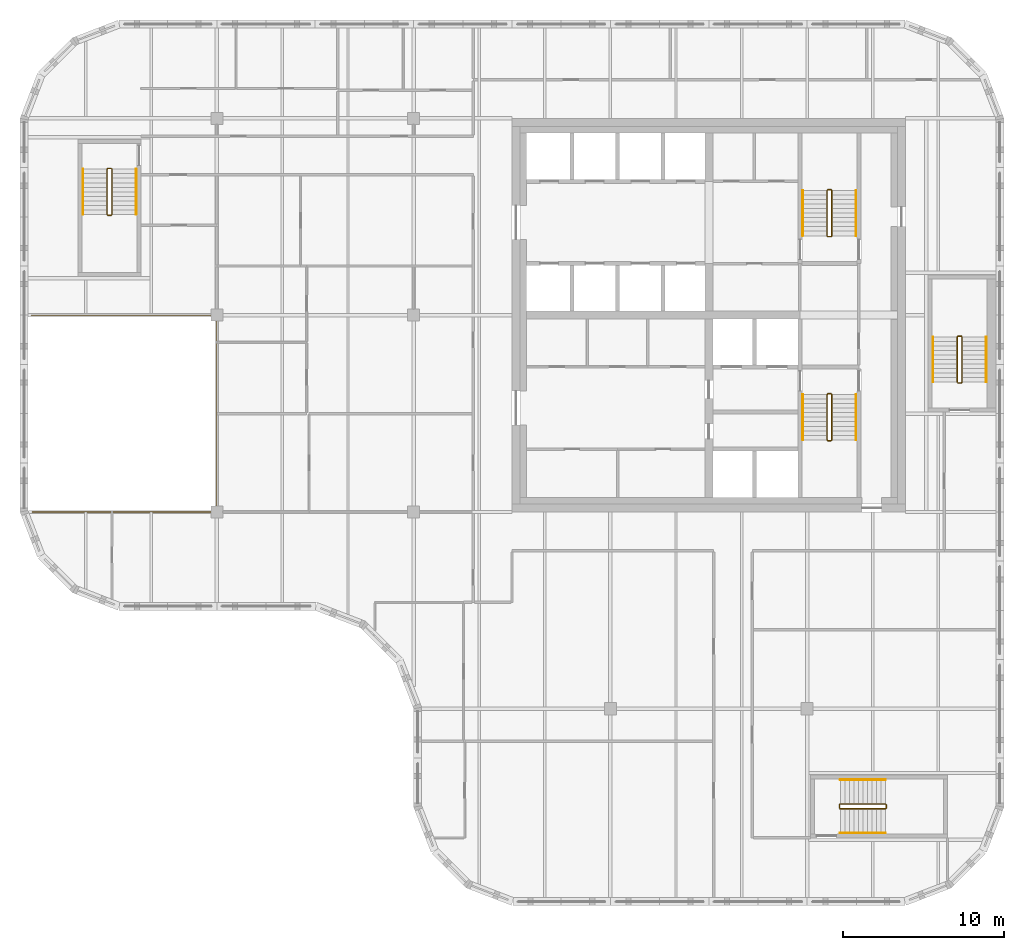
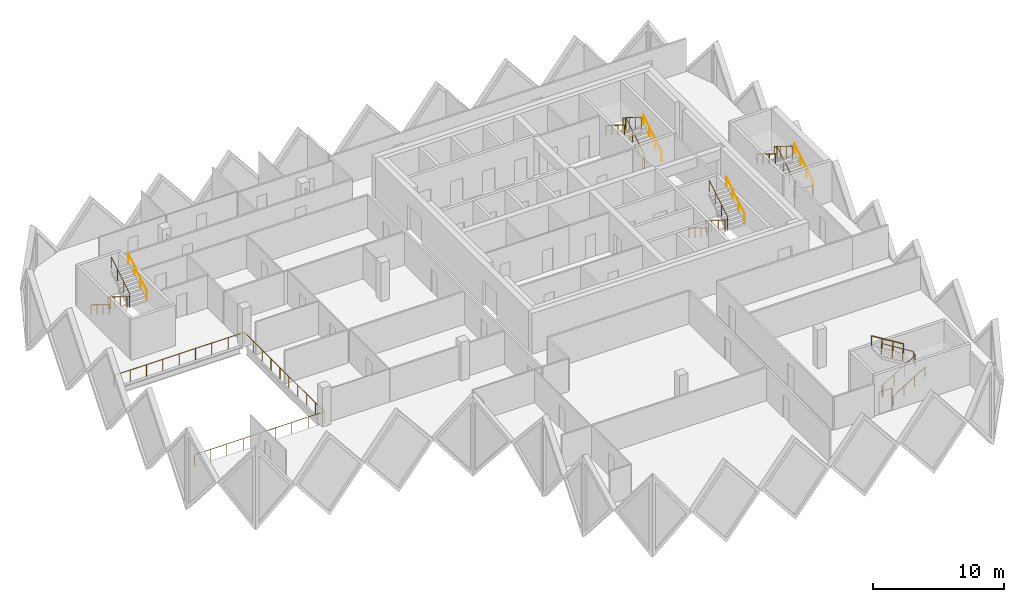
# One storey, part 11 of 11: 16 railings.
"""IFC4 building model written with IfcOpenShell, lengths in metres."""

from ifc_helpers import new_model, si_unit, direction, frame, origin, origin_2d, place, context, subcontext, project, spatial, circle, extrude, material, type_object, element, save


model = new_model("IFC4")

# Units and contexts
model_context = context("Model", 3, precision=1e-05, world=origin(), true_north=direction((0.0, 1.0)))
body_context = subcontext(model_context, "Body", "Model", "MODEL_VIEW")
ifc_project = project(units=[si_unit("LENGTHUNIT", "METRE"), si_unit("AREAUNIT", "SQUARE_METRE"), si_unit("VOLUMEUNIT", "CUBIC_METRE"), si_unit("PLANEANGLEUNIT", "RADIAN"), si_unit("MASSUNIT", "GRAM", prefix="KILO")], contexts=[model_context])

# Site, building, storey
site_placement = place(None, origin())
site = spatial("IfcSite", under=ifc_project, at=site_placement, CompositionType="ELEMENT")
building_placement = place(site_placement, origin())
building = spatial("IfcBuilding", under=site, at=building_placement, Name="Tessera Gate Towers", CompositionType="ELEMENT")
storey_placement = place(building_placement, frame((0.0, 0.0, 224.5)))
storey = spatial("IfcBuildingStorey", under=building, at=storey_placement, Name="L56", CompositionType="ELEMENT", Elevation=224.5)

# Railings
ifc_material_1 = material(Name="Toughened glass with stainless steel handrail", Category="steel")
railing_type_1 = type_object("IfcRailingType", Name="GUARD 1100 GLASS BALUSTRADE", PredefinedType="GUARDRAIL", material=ifc_material_1)
railing_1_placement = place(storey_placement, frame((0.750244140625, 24.39990234375, 0.0)))
element("IfcRailing", 1, at=railing_1_placement, inside=storey, type_object=railing_type_1, Name="Guard", PredefinedType="GUARDRAIL", context=body_context, shape_type="SweptSolid", body=[
    extrude(circle(Radius=0.02490234375, at=origin_2d()), frame((0.0, 0.0, 1.0751953125), z_axis=(1.0, 0.0, 0.0), x_axis=(0.0, 1.0, 0.0)), (0.0, 0.0, 1.0), 11.44970703125),
    extrude(circle(Radius=0.02490234375, at=origin_2d()), frame((11.44970703125, 0.0, 1.0751953125), z_axis=(0.0, 1.0, 0.0), x_axis=(-1.0, 0.0, 0.0)), (0.0, 0.0, 1.0), 12.2001953125),
    extrude(circle(Radius=0.02490234375, at=origin_2d()), frame((11.44970703125, 12.2001953125, 1.0751953125), z_axis=(-1.0, 0.0, 0.0), x_axis=(0.0, -1.0, 0.0)), (0.0, 0.0, 1.0), 11.5),
    extrude(circle(Radius=0.02490234375, at=origin_2d()), origin(), (0.0, 0.0, 1.0), 1.050048828125),
    extrude(circle(Radius=0.02490234375, at=origin_2d()), frame((1.43115234375, 0.0, 0.0)), (0.0, 0.0, 1.0), 1.050048828125),
    extrude(circle(Radius=0.02490234375, at=origin_2d()), frame((2.8623046875, 0.0, 0.0)), (0.0, 0.0, 1.0), 1.050048828125),
    extrude(circle(Radius=0.02490234375, at=origin_2d()), frame((4.293701171875, 0.0, 0.0)), (0.0, 0.0, 1.0), 1.050048828125),
    extrude(circle(Radius=0.02490234375, at=origin_2d()), frame((5.724853515625, 0.0, 0.0)), (0.0, 0.0, 1.0), 1.050048828125),
    extrude(circle(Radius=0.02490234375, at=origin_2d()), frame((7.156005859375, 0.0, 0.0)), (0.0, 0.0, 1.0), 1.050048828125),
    extrude(circle(Radius=0.02490234375, at=origin_2d()), frame((8.58740234375, 0.0, 0.0)), (0.0, 0.0, 1.0), 1.050048828125),
    extrude(circle(Radius=0.02490234375, at=origin_2d()), frame((10.0185546875, 0.0, 0.0)), (0.0, 0.0, 1.0), 1.050048828125),
    extrude(circle(Radius=0.02490234375, at=origin_2d()), frame((11.44970703125, 0.0, 0.0)), (0.0, 0.0, 1.0), 1.050048828125),
    extrude(circle(Radius=0.02490234375, at=origin_2d()), frame((11.44970703125, 1.35546875, 0.0)), (0.0, 0.0, 1.0), 1.050048828125),
    extrude(circle(Radius=0.02490234375, at=origin_2d()), frame((11.44970703125, 2.711181640625, 0.0)), (0.0, 0.0, 1.0), 1.050048828125),
    extrude(circle(Radius=0.02490234375, at=origin_2d()), frame((11.44970703125, 4.066650390625, 0.0)), (0.0, 0.0, 1.0), 1.050048828125),
    extrude(circle(Radius=0.02490234375, at=origin_2d()), frame((11.44970703125, 5.42236328125, 0.0)), (0.0, 0.0, 1.0), 1.050048828125),
    extrude(circle(Radius=0.02490234375, at=origin_2d()), frame((11.44970703125, 6.77783203125, 0.0)), (0.0, 0.0, 1.0), 1.050048828125),
    extrude(circle(Radius=0.02490234375, at=origin_2d()), frame((11.44970703125, 8.133544921875, 0.0)), (0.0, 0.0, 1.0), 1.050048828125),
    extrude(circle(Radius=0.02490234375, at=origin_2d()), frame((11.44970703125, 9.489013671875, 0.0)), (0.0, 0.0, 1.0), 1.050048828125),
    extrude(circle(Radius=0.02490234375, at=origin_2d()), frame((11.44970703125, 10.8447265625, 0.0)), (0.0, 0.0, 1.0), 1.050048828125),
    extrude(circle(Radius=0.02490234375, at=origin_2d()), frame((11.44970703125, 12.2001953125, 0.0)), (0.0, 0.0, 1.0), 1.050048828125),
    extrude(circle(Radius=0.02490234375, at=origin_2d()), frame((10.01220703125, 12.2001953125, 0.0)), (0.0, 0.0, 1.0), 1.050048828125),
    extrude(circle(Radius=0.02490234375, at=origin_2d()), frame((8.57470703125, 12.2001953125, 0.0)), (0.0, 0.0, 1.0), 1.050048828125),
    extrude(circle(Radius=0.02490234375, at=origin_2d()), frame((7.13720703125, 12.2001953125, 0.0)), (0.0, 0.0, 1.0), 1.050048828125),
    extrude(circle(Radius=0.02490234375, at=origin_2d()), frame((5.69970703125, 12.2001953125, 0.0)), (0.0, 0.0, 1.0), 1.050048828125),
    extrude(circle(Radius=0.02490234375, at=origin_2d()), frame((4.26220703125, 12.2001953125, 0.0)), (0.0, 0.0, 1.0), 1.050048828125),
    extrude(circle(Radius=0.02490234375, at=origin_2d()), frame((2.82470703125, 12.2001953125, 0.0)), (0.0, 0.0, 1.0), 1.050048828125),
    extrude(circle(Radius=0.02490234375, at=origin_2d()), frame((1.38720703125, 12.2001953125, 0.0)), (0.0, 0.0, 1.0), 1.050048828125),
    extrude(circle(Radius=0.02490234375, at=origin_2d()), frame((-0.05029296875, 12.2001953125, 0.0)), (0.0, 0.0, 1.0), 1.050048828125),
])
ifc_material_2 = material(Name="Steel 350W", Category="steel")
railing_type_2 = type_object("IfcRailingType", Name="STAIR GUARD 1100", PredefinedType="GUARDRAIL", material=ifc_material_2)
railing_2_placement = place(storey_placement, frame((50.27490234375, 31.72509765625, 0.0)))
element("IfcRailing", 2, at=railing_2_placement, inside=storey, type_object=railing_type_2, Name="L56 ST1 stair guard 1", PredefinedType="GUARDRAIL", context=body_context, shape_type="SweptSolid", body=[
    extrude(circle(Radius=0.02392578125, at=origin_2d()), frame((0.0, 0.0, 1.076171875), z_axis=(-1.0, 0.0, 0.0), x_axis=(0.0, -1.0, 0.0)), (0.0, 0.0, 1.0), 0.199951171875),
    extrude(circle(Radius=0.02392578125, at=origin_2d()), frame((-0.199951171875, 0.0, 1.076171875), z_axis=(-0.268277960024, -0.268277960024, 0.925231793839), x_axis=(0.707106781187, -0.707106781187, 0.0)), (0.0, 0.0, 1.0), 0.1865234375),
    extrude(circle(Radius=0.02392578125, at=origin_2d()), frame((-0.25, -0.050048828125, 1.24853515625), z_axis=(0.0, -0.851089632645, 0.525020415988), x_axis=(1.0, 0.0, 0.0)), (0.0, 0.0, 1.0), 3.2900390625),
    extrude(circle(Radius=0.02392578125, at=origin_2d()), frame((-0.25, -2.85009765625, 2.97607421875), z_axis=(0.707106781187, -0.707106781187, 0.0), x_axis=(0.707106781187, 0.707106781187, 0.0)), (0.0, 0.0, 1.0), 0.07080078125),
    extrude(circle(Radius=0.02392578125, at=origin_2d()), frame((-0.199951171875, -2.900146484375, 2.97607421875), z_axis=(1.0, 0.0, 0.0), x_axis=(0.0, 1.0, 0.0)), (0.0, 0.0, 1.0), 0.199951171875),
    extrude(circle(Radius=0.02392578125, at=origin_2d()), frame((0.0, -2.900146484375, 2.97607421875), z_axis=(0.267953482034, 0.267953482034, 0.925419830635), x_axis=(-0.707106781187, 0.707106781187, 0.0)), (0.0, 0.0, 1.0), 0.186767578125),
    extrude(circle(Radius=0.02392578125, at=origin_2d()), frame((0.050048828125, -2.85009765625, 3.14892578125), z_axis=(0.0, 0.851089632645, 0.525020415988), x_axis=(-1.0, 0.0, 0.0)), (0.0, 0.0, 1.0), 3.2900390625),
    extrude(circle(Radius=0.02099609375, at=origin_2d()), origin(), (0.0, 0.0, 1.0), 1.052001953125),
    extrude(circle(Radius=0.02099609375, at=origin_2d()), frame((-0.199951171875, 0.0, 0.0)), (0.0, 0.0, 1.0), 1.052001953125),
    extrude(circle(Radius=0.02099609375, at=origin_2d()), frame((-0.25, -0.050048828125, 0.172607421875)), (0.0, 0.0, 1.0), 1.052001953125),
    extrude(circle(Radius=0.02099609375, at=origin_2d()), frame((-0.25, -0.9833984375, 0.748291015625)), (0.0, 0.0, 1.0), 1.052001953125),
    extrude(circle(Radius=0.02099609375, at=origin_2d()), frame((-0.25, -1.916748046875, 1.32421875)), (0.0, 0.0, 1.0), 1.052001953125),
    extrude(circle(Radius=0.02099609375, at=origin_2d()), frame((-0.25, -2.85009765625, 1.89990234375)), (0.0, 0.0, 1.0), 1.052001953125),
    extrude(circle(Radius=0.02099609375, at=origin_2d()), frame((-0.199951171875, -2.900146484375, 1.89990234375)), (0.0, 0.0, 1.0), 1.052001953125),
    extrude(circle(Radius=0.02099609375, at=origin_2d()), frame((0.0, -2.900146484375, 1.89990234375)), (0.0, 0.0, 1.0), 1.052001953125),
    extrude(circle(Radius=0.02099609375, at=origin_2d()), frame((0.050048828125, -2.85009765625, 2.07275390625)), (0.0, 0.0, 1.0), 1.052001953125),
    extrude(circle(Radius=0.02099609375, at=origin_2d()), frame((0.050048828125, -1.916748046875, 2.6484375)), (0.0, 0.0, 1.0), 1.052001953125),
    extrude(circle(Radius=0.02099609375, at=origin_2d()), frame((0.050048828125, -0.9833984375, 3.224365234375)), (0.0, 0.0, 1.0), 1.052001953125),
    extrude(circle(Radius=0.02099609375, at=origin_2d()), frame((0.050048828125, -0.050048828125, 3.800048828125)), (0.0, 0.0, 1.0), 1.052001953125),
])
railing_3_placement = place(storey_placement, frame((50.074951171875, 41.47509765625, 0.0)))
element("IfcRailing", 3, at=railing_3_placement, inside=storey, type_object=railing_type_2, Name="L56 ST2 stair guard 1", PredefinedType="GUARDRAIL", context=body_context, shape_type="SweptSolid", body=[
    extrude(circle(Radius=0.02392578125, at=origin_2d()), frame((0.0, 0.0, 1.076171875), z_axis=(1.0, 0.0, 0.0), x_axis=(0.0, 1.0, 0.0)), (0.0, 0.0, 1.0), 0.199951171875),
    extrude(circle(Radius=0.02392578125, at=origin_2d()), frame((0.199951171875, 0.0, 1.076171875), z_axis=(0.268371968888, 0.267062837333, 0.925556009775), x_axis=(-0.705375805398, 0.708833529934, 0.0)), (0.0, 0.0, 1.0), 0.1865234375),
    extrude(circle(Radius=0.02392578125, at=origin_2d()), frame((0.25, 0.0498046875, 1.24853515625), z_axis=(0.0, 0.851089632645, 0.525020415988), x_axis=(-1.0, 0.0, 0.0)), (0.0, 0.0, 1.0), 3.2900390625),
    extrude(circle(Radius=0.02392578125, at=origin_2d()), frame((0.25, 2.849853515625, 2.97607421875), z_axis=(-0.707106781187, 0.707106781187, 0.0), x_axis=(-0.707106781187, -0.707106781187, 0.0)), (0.0, 0.0, 1.0), 0.07080078125),
    extrude(circle(Radius=0.02392578125, at=origin_2d()), frame((0.199951171875, 2.89990234375, 2.97607421875), z_axis=(-1.0, 0.0, 0.0), x_axis=(0.0, -1.0, 0.0)), (0.0, 0.0, 1.0), 0.199951171875),
    extrude(circle(Radius=0.02392578125, at=origin_2d()), frame((0.0, 2.89990234375, 2.97607421875), z_axis=(-0.267953482034, -0.267953482034, 0.925419830635), x_axis=(0.707106781187, -0.707106781187, 0.0)), (0.0, 0.0, 1.0), 0.186767578125),
    extrude(circle(Radius=0.02392578125, at=origin_2d()), frame((-0.050048828125, 2.849853515625, 3.14892578125), z_axis=(0.0, -0.851089632645, 0.525020415988), x_axis=(1.0, 0.0, 0.0)), (0.0, 0.0, 1.0), 3.2900390625),
    extrude(circle(Radius=0.02099609375, at=origin_2d()), origin(), (0.0, 0.0, 1.0), 1.052001953125),
    extrude(circle(Radius=0.02099609375, at=origin_2d()), frame((0.199951171875, 0.0, 0.0)), (0.0, 0.0, 1.0), 1.052001953125),
    extrude(circle(Radius=0.02099609375, at=origin_2d()), frame((0.25, 0.0498046875, 0.172607421875)), (0.0, 0.0, 1.0), 1.052001953125),
    extrude(circle(Radius=0.02099609375, at=origin_2d()), frame((0.25, 0.983154296875, 0.748291015625)), (0.0, 0.0, 1.0), 1.052001953125),
    extrude(circle(Radius=0.02099609375, at=origin_2d()), frame((0.25, 1.91650390625, 1.32421875)), (0.0, 0.0, 1.0), 1.052001953125),
    extrude(circle(Radius=0.02099609375, at=origin_2d()), frame((0.25, 2.849853515625, 1.89990234375)), (0.0, 0.0, 1.0), 1.052001953125),
    extrude(circle(Radius=0.02099609375, at=origin_2d()), frame((0.199951171875, 2.89990234375, 1.89990234375)), (0.0, 0.0, 1.0), 1.052001953125),
    extrude(circle(Radius=0.02099609375, at=origin_2d()), frame((0.0, 2.89990234375, 1.89990234375)), (0.0, 0.0, 1.0), 1.052001953125),
    extrude(circle(Radius=0.02099609375, at=origin_2d()), frame((-0.050048828125, 2.849853515625, 2.07275390625)), (0.0, 0.0, 1.0), 1.052001953125),
    extrude(circle(Radius=0.02099609375, at=origin_2d()), frame((-0.050048828125, 1.91650390625, 2.6484375)), (0.0, 0.0, 1.0), 1.052001953125),
    extrude(circle(Radius=0.02099609375, at=origin_2d()), frame((-0.050048828125, 0.983154296875, 3.224365234375)), (0.0, 0.0, 1.0), 1.052001953125),
    extrude(circle(Radius=0.02099609375, at=origin_2d()), frame((-0.050048828125, 0.0498046875, 3.800048828125)), (0.0, 0.0, 1.0), 1.052001953125),
])
railing_4_placement = place(storey_placement, frame((5.64990234375, 45.699951171875, 0.0)))
element("IfcRailing", 4, at=railing_4_placement, inside=storey, type_object=railing_type_2, Name="L56 ST3 stair guard 1", PredefinedType="GUARDRAIL", context=body_context, shape_type="SweptSolid", body=[
    extrude(circle(Radius=0.02392578125, at=origin_2d()), frame((0.0, 0.0, 1.076171875), z_axis=(-1.0, 0.0, 0.0), x_axis=(0.0, -1.0, 0.0)), (0.0, 0.0, 1.0), 0.199951171875),
    extrude(circle(Radius=0.02392578125, at=origin_2d()), frame((-0.199951171875, 0.0, 1.076171875), z_axis=(-0.268277960024, -0.268277960024, 0.925231793839), x_axis=(0.707106781187, -0.707106781187, 0.0)), (0.0, 0.0, 1.0), 0.1865234375),
    extrude(circle(Radius=0.02392578125, at=origin_2d()), frame((-0.25, -0.050048828125, 1.24853515625), z_axis=(0.0, -0.851069175582, 0.525053576669), x_axis=(1.0, 0.0, 0.0)), (0.0, 0.0, 1.0), 3.289794921875),
    extrude(circle(Radius=0.02392578125, at=origin_2d()), frame((-0.25, -2.849853515625, 2.97607421875), z_axis=(0.707106781187, -0.707106781187, 0.0), x_axis=(0.707106781187, 0.707106781187, 0.0)), (0.0, 0.0, 1.0), 0.07080078125),
    extrude(circle(Radius=0.02392578125, at=origin_2d()), frame((-0.199951171875, -2.89990234375, 2.97607421875), z_axis=(1.0, 0.0, 0.0), x_axis=(0.0, 1.0, 0.0)), (0.0, 0.0, 1.0), 0.199951171875),
    extrude(circle(Radius=0.02392578125, at=origin_2d()), frame((0.0, -2.89990234375, 2.97607421875), z_axis=(0.267953482034, 0.267953482034, 0.925419830635), x_axis=(-0.707106781187, 0.707106781187, 0.0)), (0.0, 0.0, 1.0), 0.186767578125),
    extrude(circle(Radius=0.02392578125, at=origin_2d()), frame((0.050048828125, -2.849853515625, 3.14892578125), z_axis=(0.0, 0.851069175582, 0.525053576669), x_axis=(-1.0, 0.0, 0.0)), (0.0, 0.0, 1.0), 3.289794921875),
    extrude(circle(Radius=0.02099609375, at=origin_2d()), origin(), (0.0, 0.0, 1.0), 1.052001953125),
    extrude(circle(Radius=0.02099609375, at=origin_2d()), frame((-0.199951171875, 0.0, 0.0)), (0.0, 0.0, 1.0), 1.052001953125),
    extrude(circle(Radius=0.02099609375, at=origin_2d()), frame((-0.25, -0.050048828125, 0.172607421875)), (0.0, 0.0, 1.0), 1.052001953125),
    extrude(circle(Radius=0.02099609375, at=origin_2d()), frame((-0.25, -0.9833984375, 0.748291015625)), (0.0, 0.0, 1.0), 1.052001953125),
    extrude(circle(Radius=0.02099609375, at=origin_2d()), frame((-0.25, -1.91650390625, 1.32421875)), (0.0, 0.0, 1.0), 1.052001953125),
    extrude(circle(Radius=0.02099609375, at=origin_2d()), frame((-0.25, -2.849853515625, 1.89990234375)), (0.0, 0.0, 1.0), 1.052001953125),
    extrude(circle(Radius=0.02099609375, at=origin_2d()), frame((-0.199951171875, -2.89990234375, 1.89990234375)), (0.0, 0.0, 1.0), 1.052001953125),
    extrude(circle(Radius=0.02099609375, at=origin_2d()), frame((0.0, -2.89990234375, 1.89990234375)), (0.0, 0.0, 1.0), 1.052001953125),
    extrude(circle(Radius=0.02099609375, at=origin_2d()), frame((0.050048828125, -2.849853515625, 2.07275390625)), (0.0, 0.0, 1.0), 1.052001953125),
    extrude(circle(Radius=0.02099609375, at=origin_2d()), frame((0.050048828125, -1.91650390625, 2.6484375)), (0.0, 0.0, 1.0), 1.052001953125),
    extrude(circle(Radius=0.02099609375, at=origin_2d()), frame((0.050048828125, -0.9833984375, 3.224365234375)), (0.0, 0.0, 1.0), 1.052001953125),
    extrude(circle(Radius=0.02099609375, at=origin_2d()), frame((0.050048828125, -0.050048828125, 3.800048828125)), (0.0, 0.0, 1.0), 1.052001953125),
])
railing_5_placement = place(storey_placement, frame((50.800048828125, 6.25, 0.0)))
element("IfcRailing", 5, at=railing_5_placement, inside=storey, type_object=railing_type_2, Name="L56 ST4 stair guard 1", PredefinedType="GUARDRAIL", context=body_context, shape_type="SweptSolid", body=[
    extrude(circle(Radius=0.02392578125, at=origin_2d()), frame((0.0, 0.0, 1.076171875), z_axis=(0.0, -1.0, 0.0), x_axis=(1.0, 0.0, 0.0)), (0.0, 0.0, 1.0), 0.199951171875),
    extrude(circle(Radius=0.02392578125, at=origin_2d()), frame((0.0, -0.199951171875, 1.076171875), z_axis=(0.268277960024, -0.268277960024, 0.925231793839), x_axis=(0.707106781187, 0.707106781187, 0.0)), (0.0, 0.0, 1.0), 0.1865234375),
    extrude(circle(Radius=0.02392578125, at=origin_2d()), frame((0.050048828125, -0.25, 1.24853515625), z_axis=(0.851069175582, 0.0, 0.525053576669), x_axis=(0.0, 1.0, 0.0)), (0.0, 0.0, 1.0), 3.289794921875),
    extrude(circle(Radius=0.02392578125, at=origin_2d()), frame((2.849853515625, -0.25, 2.97607421875), z_axis=(0.707106781187, 0.707106781187, 0.0), x_axis=(-0.707106781187, 0.707106781187, 0.0)), (0.0, 0.0, 1.0), 0.07080078125),
    extrude(circle(Radius=0.02392578125, at=origin_2d()), frame((2.89990234375, -0.199951171875, 2.97607421875), z_axis=(0.0, 1.0, 0.0), x_axis=(-1.0, 0.0, 0.0)), (0.0, 0.0, 1.0), 0.199951171875),
    extrude(circle(Radius=0.02392578125, at=origin_2d()), frame((2.89990234375, 0.0, 2.97607421875), z_axis=(-0.267953482034, 0.267953482034, 0.925419830635), x_axis=(-0.707106781187, -0.707106781187, 0.0)), (0.0, 0.0, 1.0), 0.186767578125),
    extrude(circle(Radius=0.02392578125, at=origin_2d()), frame((2.849853515625, 0.050048828125, 3.14892578125), z_axis=(-0.851069175582, 0.0, 0.525053576669), x_axis=(0.0, -1.0, 0.0)), (0.0, 0.0, 1.0), 3.289794921875),
    extrude(circle(Radius=0.02099609375, at=origin_2d()), origin(), (0.0, 0.0, 1.0), 1.052001953125),
    extrude(circle(Radius=0.02099609375, at=origin_2d()), frame((0.0, -0.199951171875, 0.0)), (0.0, 0.0, 1.0), 1.052001953125),
    extrude(circle(Radius=0.02099609375, at=origin_2d()), frame((0.050048828125, -0.25, 0.172607421875)), (0.0, 0.0, 1.0), 1.052001953125),
    extrude(circle(Radius=0.02099609375, at=origin_2d()), frame((0.9833984375, -0.25, 0.748291015625)), (0.0, 0.0, 1.0), 1.052001953125),
    extrude(circle(Radius=0.02099609375, at=origin_2d()), frame((1.91650390625, -0.25, 1.32421875)), (0.0, 0.0, 1.0), 1.052001953125),
    extrude(circle(Radius=0.02099609375, at=origin_2d()), frame((2.849853515625, -0.25, 1.89990234375)), (0.0, 0.0, 1.0), 1.052001953125),
    extrude(circle(Radius=0.02099609375, at=origin_2d()), frame((2.89990234375, -0.199951171875, 1.89990234375)), (0.0, 0.0, 1.0), 1.052001953125),
    extrude(circle(Radius=0.02099609375, at=origin_2d()), frame((2.89990234375, 0.0, 1.89990234375)), (0.0, 0.0, 1.0), 1.052001953125),
    extrude(circle(Radius=0.02099609375, at=origin_2d()), frame((2.849853515625, 0.050048828125, 2.07275390625)), (0.0, 0.0, 1.0), 1.052001953125),
    extrude(circle(Radius=0.02099609375, at=origin_2d()), frame((1.91650390625, 0.050048828125, 2.6484375)), (0.0, 0.0, 1.0), 1.052001953125),
    extrude(circle(Radius=0.02099609375, at=origin_2d()), frame((0.9833984375, 0.050048828125, 3.224365234375)), (0.0, 0.0, 1.0), 1.052001953125),
    extrude(circle(Radius=0.02099609375, at=origin_2d()), frame((0.050048828125, 0.050048828125, 3.800048828125)), (0.0, 0.0, 1.0), 1.052001953125),
])
railing_6_placement = place(storey_placement, frame((58.14990234375, 32.39990234375, 0.0)))
element("IfcRailing", 6, at=railing_6_placement, inside=storey, type_object=railing_type_2, Name="L56 ST5 stair guard 1", PredefinedType="GUARDRAIL", context=body_context, shape_type="SweptSolid", body=[
    extrude(circle(Radius=0.02392578125, at=origin_2d()), frame((0.0, 0.0, 1.076171875), z_axis=(1.0, 0.0, 0.0), x_axis=(0.0, 1.0, 0.0)), (0.0, 0.0, 1.0), 0.2001953125),
    extrude(circle(Radius=0.02392578125, at=origin_2d()), frame((0.2001953125, 0.0, 1.076171875), z_axis=(0.267062837333, 0.268371968888, 0.925556009775), x_axis=(-0.708833529934, 0.705375805398, 0.0)), (0.0, 0.0, 1.0), 0.1865234375),
    extrude(circle(Radius=0.02392578125, at=origin_2d()), frame((0.25, 0.050048828125, 1.24853515625), z_axis=(0.0, 0.851089632645, 0.525020415988), x_axis=(-1.0, 0.0, 0.0)), (0.0, 0.0, 1.0), 3.2900390625),
    extrude(circle(Radius=0.02392578125, at=origin_2d()), frame((0.25, 2.85009765625, 2.97607421875), z_axis=(-0.705375805398, 0.708833529934, 0.0), x_axis=(-0.708833529934, -0.705375805398, 0.0)), (0.0, 0.0, 1.0), 0.070556640625),
    extrude(circle(Radius=0.02392578125, at=origin_2d()), frame((0.2001953125, 2.900146484375, 2.97607421875), z_axis=(-1.0, 0.0, 0.0), x_axis=(0.0, -1.0, 0.0)), (0.0, 0.0, 1.0), 0.2001953125),
    extrude(circle(Radius=0.02392578125, at=origin_2d()), frame((0.0, 2.900146484375, 2.97607421875), z_axis=(-0.266739603011, -0.268047150085, 0.925743328097), x_axis=(0.708833529934, -0.705375805398, 0.0)), (0.0, 0.0, 1.0), 0.186767578125),
    extrude(circle(Radius=0.02392578125, at=origin_2d()), frame((-0.0498046875, 2.85009765625, 3.14892578125), z_axis=(0.0, -0.851089632645, 0.525020415988), x_axis=(1.0, 0.0, 0.0)), (0.0, 0.0, 1.0), 3.2900390625),
    extrude(circle(Radius=0.02099609375, at=origin_2d()), origin(), (0.0, 0.0, 1.0), 1.052001953125),
    extrude(circle(Radius=0.02099609375, at=origin_2d()), frame((0.2001953125, 0.0, 0.0)), (0.0, 0.0, 1.0), 1.052001953125),
    extrude(circle(Radius=0.02099609375, at=origin_2d()), frame((0.25, 0.050048828125, 0.172607421875)), (0.0, 0.0, 1.0), 1.052001953125),
    extrude(circle(Radius=0.02099609375, at=origin_2d()), frame((0.25, 0.9833984375, 0.748291015625)), (0.0, 0.0, 1.0), 1.052001953125),
    extrude(circle(Radius=0.02099609375, at=origin_2d()), frame((0.25, 1.916748046875, 1.32421875)), (0.0, 0.0, 1.0), 1.052001953125),
    extrude(circle(Radius=0.02099609375, at=origin_2d()), frame((0.25, 2.85009765625, 1.89990234375)), (0.0, 0.0, 1.0), 1.052001953125),
    extrude(circle(Radius=0.02099609375, at=origin_2d()), frame((0.2001953125, 2.900146484375, 1.89990234375)), (0.0, 0.0, 1.0), 1.052001953125),
    extrude(circle(Radius=0.02099609375, at=origin_2d()), frame((0.0, 2.900146484375, 1.89990234375)), (0.0, 0.0, 1.0), 1.052001953125),
    extrude(circle(Radius=0.02099609375, at=origin_2d()), frame((-0.0498046875, 2.85009765625, 2.07275390625)), (0.0, 0.0, 1.0), 1.052001953125),
    extrude(circle(Radius=0.02099609375, at=origin_2d()), frame((-0.0498046875, 1.916748046875, 2.6484375)), (0.0, 0.0, 1.0), 1.052001953125),
    extrude(circle(Radius=0.02099609375, at=origin_2d()), frame((-0.0498046875, 0.9833984375, 3.224365234375)), (0.0, 0.0, 1.0), 1.052001953125),
    extrude(circle(Radius=0.02099609375, at=origin_2d()), frame((-0.0498046875, 0.050048828125, 3.800048828125)), (0.0, 0.0, 1.0), 1.052001953125),
])
ifc_material_3 = material(Name="Steel 350W", Category="steel")
railing_type_3 = type_object("IfcRailingType", Name="STAIR HANDRAIL 900", PredefinedType="HANDRAIL", material=ifc_material_3)
railing_7_placement = place(storey_placement, frame((48.52490234375, 31.675048828125, 0.172607421875)))
element("IfcRailing", 7, at=railing_7_placement, inside=storey, type_object=railing_type_3, Name="L56 ST1 stair handrail 1", PredefinedType="HANDRAIL", context=body_context, shape_type="SweptSolid", body=[
    extrude(circle(Radius=0.02392578125, at=origin_2d()), frame((0.0, 0.0, 0.8759765625), z_axis=(0.0, -0.851089632645, 0.525020415988), x_axis=(1.0, 0.0, 0.0)), (0.0, 0.0, 1.0), 3.2900390625),
    extrude(circle(Radius=0.02099609375, at=origin_2d()), origin(), (0.0, 0.0, 1.0), 0.851806640625),
    extrude(circle(Radius=0.02099609375, at=origin_2d()), frame((0.0, -0.933349609375, 0.57568359375)), (0.0, 0.0, 1.0), 0.851806640625),
    extrude(circle(Radius=0.02099609375, at=origin_2d()), frame((0.0, -1.86669921875, 1.151611328125)), (0.0, 0.0, 1.0), 0.851806640625),
    extrude(circle(Radius=0.02099609375, at=origin_2d()), frame((0.0, -2.800048828125, 1.727294921875)), (0.0, 0.0, 1.0), 0.851806640625),
])
for number, where, name in (
    (8, (51.824951171875, 28.875, 2.07275390625), "L56 ST1 stair handrail 2"),
    (9, (51.824951171875, 41.52490234375, 0.172607421875), "L56 ST2 stair handrail 1"),
):
    element("IfcRailing", number, at=place(storey_placement, frame(where)), inside=storey, type_object=railing_type_3, Name=name, PredefinedType="HANDRAIL", context=body_context, shape_type="SweptSolid", body=[
        extrude(circle(Radius=0.02392578125, at=origin_2d()), frame((0.0, 0.0, 0.8759765625), z_axis=(0.0, 0.851089632645, 0.525020415988), x_axis=(-1.0, 0.0, 0.0)), (0.0, 0.0, 1.0), 3.2900390625),
        extrude(circle(Radius=0.02099609375, at=origin_2d()), origin(), (0.0, 0.0, 1.0), 0.851806640625),
        extrude(circle(Radius=0.02099609375, at=origin_2d()), frame((0.0, 0.933349609375, 0.57568359375)), (0.0, 0.0, 1.0), 0.851806640625),
        extrude(circle(Radius=0.02099609375, at=origin_2d()), frame((0.0, 1.86669921875, 1.151611328125)), (0.0, 0.0, 1.0), 0.851806640625),
        extrude(circle(Radius=0.02099609375, at=origin_2d()), frame((0.0, 2.800048828125, 1.727294921875)), (0.0, 0.0, 1.0), 0.851806640625),
    ])
railing_8_placement = place(storey_placement, frame((48.52490234375, 44.324951171875, 2.07275390625)))
element("IfcRailing", 10, at=railing_8_placement, inside=storey, type_object=railing_type_3, Name="L56 ST2 stair handrail 2", PredefinedType="HANDRAIL", context=body_context, shape_type="SweptSolid", body=[
    extrude(circle(Radius=0.02392578125, at=origin_2d()), frame((0.0, 0.0, 0.8759765625), z_axis=(0.0, -0.851089632645, 0.525020415988), x_axis=(1.0, 0.0, 0.0)), (0.0, 0.0, 1.0), 3.2900390625),
    extrude(circle(Radius=0.02099609375, at=origin_2d()), origin(), (0.0, 0.0, 1.0), 0.851806640625),
    extrude(circle(Radius=0.02099609375, at=origin_2d()), frame((0.0, -0.933349609375, 0.57568359375)), (0.0, 0.0, 1.0), 0.851806640625),
    extrude(circle(Radius=0.02099609375, at=origin_2d()), frame((0.0, -1.86669921875, 1.151611328125)), (0.0, 0.0, 1.0), 0.851806640625),
    extrude(circle(Radius=0.02099609375, at=origin_2d()), frame((0.0, -2.800048828125, 1.727294921875)), (0.0, 0.0, 1.0), 0.851806640625),
])
railing_9_placement = place(storey_placement, frame((3.89990234375, 45.64990234375, 0.172607421875)))
element("IfcRailing", 11, at=railing_9_placement, inside=storey, type_object=railing_type_3, Name="L56 ST3 stair handrail 1", PredefinedType="HANDRAIL", context=body_context, shape_type="SweptSolid", body=[
    extrude(circle(Radius=0.02392578125, at=origin_2d()), frame((0.0, 0.0, 0.8759765625), z_axis=(0.0, -0.851069175582, 0.525053576669), x_axis=(1.0, 0.0, 0.0)), (0.0, 0.0, 1.0), 3.289794921875),
    extrude(circle(Radius=0.02099609375, at=origin_2d()), origin(), (0.0, 0.0, 1.0), 0.851806640625),
    extrude(circle(Radius=0.02099609375, at=origin_2d()), frame((0.0, -0.933349609375, 0.57568359375)), (0.0, 0.0, 1.0), 0.851806640625),
    extrude(circle(Radius=0.02099609375, at=origin_2d()), frame((0.0, -1.866455078125, 1.151611328125)), (0.0, 0.0, 1.0), 0.851806640625),
    extrude(circle(Radius=0.02099609375, at=origin_2d()), frame((0.0, -2.7998046875, 1.727294921875)), (0.0, 0.0, 1.0), 0.851806640625),
])
railing_10_placement = place(storey_placement, frame((7.199951171875, 42.85009765625, 2.07275390625)))
element("IfcRailing", 12, at=railing_10_placement, inside=storey, type_object=railing_type_3, Name="L56 ST3 stair handrail 2", PredefinedType="HANDRAIL", context=body_context, shape_type="SweptSolid", body=[
    extrude(circle(Radius=0.02392578125, at=origin_2d()), frame((0.0, 0.0, 0.8759765625), z_axis=(0.0, 0.851069175582, 0.525053576669), x_axis=(-1.0, 0.0, 0.0)), (0.0, 0.0, 1.0), 3.289794921875),
    extrude(circle(Radius=0.02099609375, at=origin_2d()), origin(), (0.0, 0.0, 1.0), 0.851806640625),
    extrude(circle(Radius=0.02099609375, at=origin_2d()), frame((0.0, 0.933349609375, 0.57568359375)), (0.0, 0.0, 1.0), 0.851806640625),
    extrude(circle(Radius=0.02099609375, at=origin_2d()), frame((0.0, 1.866455078125, 1.151611328125)), (0.0, 0.0, 1.0), 0.851806640625),
    extrude(circle(Radius=0.02099609375, at=origin_2d()), frame((0.0, 2.7998046875, 1.727294921875)), (0.0, 0.0, 1.0), 0.851806640625),
])
railing_11_placement = place(storey_placement, frame((50.85009765625, 4.5, 0.172607421875)))
element("IfcRailing", 13, at=railing_11_placement, inside=storey, type_object=railing_type_3, Name="L56 ST4 stair handrail 1", PredefinedType="HANDRAIL", context=body_context, shape_type="SweptSolid", body=[
    extrude(circle(Radius=0.02392578125, at=origin_2d()), frame((0.0, 0.0, 0.8759765625), z_axis=(0.851069175582, 0.0, 0.525053576669), x_axis=(0.0, 1.0, 0.0)), (0.0, 0.0, 1.0), 3.289794921875),
    extrude(circle(Radius=0.02099609375, at=origin_2d()), origin(), (0.0, 0.0, 1.0), 0.851806640625),
    extrude(circle(Radius=0.02099609375, at=origin_2d()), frame((0.933349609375, 0.0, 0.57568359375)), (0.0, 0.0, 1.0), 0.851806640625),
    extrude(circle(Radius=0.02099609375, at=origin_2d()), frame((1.866455078125, 0.0, 1.151611328125)), (0.0, 0.0, 1.0), 0.851806640625),
    extrude(circle(Radius=0.02099609375, at=origin_2d()), frame((2.7998046875, 0.0, 1.727294921875)), (0.0, 0.0, 1.0), 0.851806640625),
])
railing_12_placement = place(storey_placement, frame((53.64990234375, 7.800048828125, 2.07275390625)))
element("IfcRailing", 14, at=railing_12_placement, inside=storey, type_object=railing_type_3, Name="L56 ST4 stair handrail 2", PredefinedType="HANDRAIL", context=body_context, shape_type="SweptSolid", body=[
    extrude(circle(Radius=0.02392578125, at=origin_2d()), frame((0.0, 0.0, 0.8759765625), z_axis=(-0.851069175582, 0.0, 0.525053576669), x_axis=(0.0, -1.0, 0.0)), (0.0, 0.0, 1.0), 3.289794921875),
    extrude(circle(Radius=0.02099609375, at=origin_2d()), origin(), (0.0, 0.0, 1.0), 0.851806640625),
    extrude(circle(Radius=0.02099609375, at=origin_2d()), frame((-0.933349609375, 0.0, 0.57568359375)), (0.0, 0.0, 1.0), 0.851806640625),
    extrude(circle(Radius=0.02099609375, at=origin_2d()), frame((-1.866455078125, 0.0, 1.151611328125)), (0.0, 0.0, 1.0), 0.851806640625),
    extrude(circle(Radius=0.02099609375, at=origin_2d()), frame((-2.7998046875, 0.0, 1.727294921875)), (0.0, 0.0, 1.0), 0.851806640625),
])
railing_13_placement = place(storey_placement, frame((59.89990234375, 32.449951171875, 0.172607421875)))
element("IfcRailing", 15, at=railing_13_placement, inside=storey, type_object=railing_type_3, Name="L56 ST5 stair handrail 1", PredefinedType="HANDRAIL", context=body_context, shape_type="SweptSolid", body=[
    extrude(circle(Radius=0.02392578125, at=origin_2d()), frame((0.0, 0.0, 0.8759765625), z_axis=(0.0, 0.851089632645, 0.525020415988), x_axis=(-1.0, 0.0, 0.0)), (0.0, 0.0, 1.0), 3.2900390625),
    extrude(circle(Radius=0.02099609375, at=origin_2d()), origin(), (0.0, 0.0, 1.0), 0.851806640625),
    extrude(circle(Radius=0.02099609375, at=origin_2d()), frame((0.0, 0.933349609375, 0.57568359375)), (0.0, 0.0, 1.0), 0.851806640625),
    extrude(circle(Radius=0.02099609375, at=origin_2d()), frame((0.0, 1.86669921875, 1.151611328125)), (0.0, 0.0, 1.0), 0.851806640625),
    extrude(circle(Radius=0.02099609375, at=origin_2d()), frame((0.0, 2.800048828125, 1.727294921875)), (0.0, 0.0, 1.0), 0.851806640625),
])
railing_14_placement = place(storey_placement, frame((56.60009765625, 35.25, 2.07275390625)))
element("IfcRailing", 16, at=railing_14_placement, inside=storey, type_object=railing_type_3, Name="L56 ST5 stair handrail 2", PredefinedType="HANDRAIL", context=body_context, shape_type="SweptSolid", body=[
    extrude(circle(Radius=0.02392578125, at=origin_2d()), frame((0.0, 0.0, 0.8759765625), z_axis=(0.0, -0.851089632645, 0.525020415988), x_axis=(1.0, 0.0, 0.0)), (0.0, 0.0, 1.0), 3.2900390625),
    extrude(circle(Radius=0.02099609375, at=origin_2d()), origin(), (0.0, 0.0, 1.0), 0.851806640625),
    extrude(circle(Radius=0.02099609375, at=origin_2d()), frame((0.0, -0.933349609375, 0.57568359375)), (0.0, 0.0, 1.0), 0.851806640625),
    extrude(circle(Radius=0.02099609375, at=origin_2d()), frame((0.0, -1.86669921875, 1.151611328125)), (0.0, 0.0, 1.0), 0.851806640625),
    extrude(circle(Radius=0.02099609375, at=origin_2d()), frame((0.0, -2.800048828125, 1.727294921875)), (0.0, 0.0, 1.0), 0.851806640625),
])

save(model, "model.ifc")
